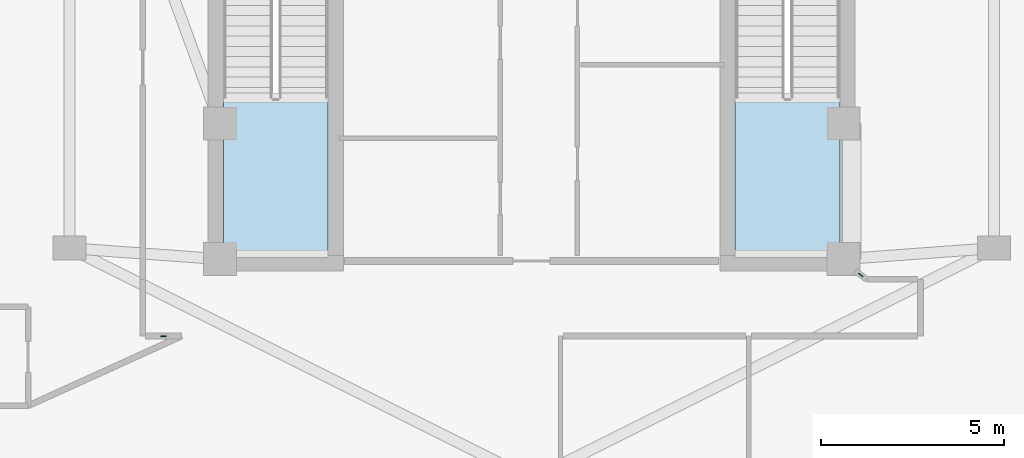
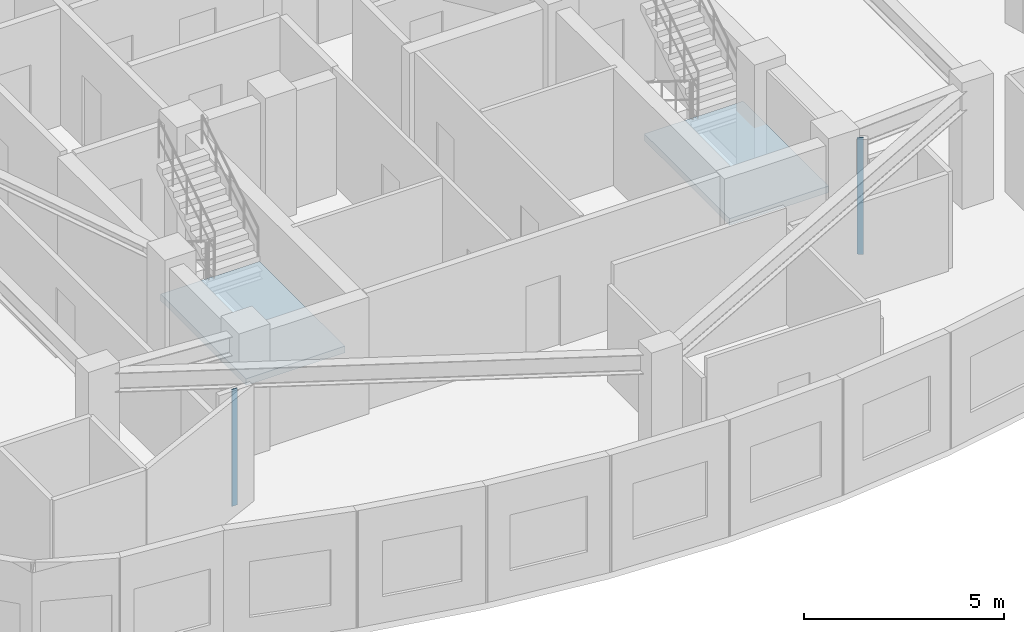
# One storey, part 2 of 9: 2 plates, 2 slabs, 2 elements without a shape of their own.
"""IFC4 building model written with IfcOpenShell, lengths in metres."""

from ifc_helpers import new_model, si_unit, direction, frame, origin, origin_2d, place, context, subcontext, project, spatial, polyline, rectangle, outline, extrude, material, layer, layer_set, type_object, element, aggregate, save


model = new_model("IFC4")

# Units and contexts
model_context = context("Model", 3, precision=1e-05, world=origin(), true_north=direction((0.0, 1.0)))
body_context = subcontext(model_context, "Body", "Model", "MODEL_VIEW")
ifc_project = project(units=[si_unit("LENGTHUNIT", "METRE"), si_unit("AREAUNIT", "SQUARE_METRE"), si_unit("VOLUMEUNIT", "CUBIC_METRE"), si_unit("PLANEANGLEUNIT", "RADIAN"), si_unit("MASSUNIT", "GRAM", prefix="KILO")], contexts=[model_context])

# Site, building, storey
site_placement = place(None, origin())
site = spatial("IfcSite", under=ifc_project, at=site_placement, CompositionType="ELEMENT")
building_placement = place(site_placement, origin())
building = spatial("IfcBuilding", under=site, at=building_placement, Name="Miruveldt Soraemaru", CompositionType="ELEMENT")
storey_placement = place(building_placement, frame((0.0, 0.0, 263.550048828125)))
storey = spatial("IfcBuildingStorey", under=building, at=storey_placement, Name="L72", CompositionType="ELEMENT", Elevation=263.550048828125)

# Plates
ifc_material_1 = material(Name="Anodised aluminium EN AW-6063 T6", Category="aluminium")
ifc_layer_1 = layer(ifc_material_1, 0.02001953125, Name="Anodised aluminium EN AW-6063 T6", Category="aluminium")
ifc_layer_set_1 = layer_set([ifc_layer_1], Name="Anodised aluminium EN AW-6063 T6")
plate_type = type_object("IfcPlateType", Name="PLT-PART-TRIM", PredefinedType="SHEET", material=ifc_layer_set_1)
for number, where, z_axis, x_axis, name in (
    (1, (33.966552734375, 33.39990234375, 0.0), (0.0, 0.0, 1.0), (1.0, 0.0, 0.0), "L72 Partition Step Corner Trim Plate 006"),
    (2, (52.97509765625, 35.06494140625, 0.0), (0.0, 0.0, 1.0), (-0.803129547743, 0.595804439009, 0.0), "L72 Partition Step Corner Trim Plate 003"),
):
    element("IfcPlate", number, at=place(storey_placement, frame(where, z_axis=z_axis, x_axis=x_axis)), inside=storey, type_object=plate_type, Name=name, PredefinedType="SHEET", context=body_context, shape_type="SweptSolid", body=[
        extrude(rectangle(XDim=0.159912109375, YDim=0.02001953125, at=origin_2d()), origin(), (0.0, 0.0, 1.0), 3.56494140625),
    ])

# Stair, slab
ifc_material_2 = material(Name="Concrete C40/50 (40 MPa)", Category="concrete")
stair_type = type_object("IfcStairType", Name="STAIR-DL-385", PredefinedType="HALF_TURN_STAIR", material=ifc_material_2)
stair_1_placement = place(storey_placement, origin())
stair_1 = element("IfcStair", 3, at=stair_1_placement, inside=storey, type_object=stair_type, Name="L72 Protected Exit Stair ST-1", PredefinedType="HALF_TURN_STAIR")
ifc_layer_2 = layer(ifc_material_2, 0.199951171875, Name="Concrete C40/50 (40 MPa)", Category="concrete")
ifc_layer_set_2 = layer_set([ifc_layer_2], Name="Concrete C40/50 (40 MPa)")
slab_type = type_object("IfcSlabType", Name="SLAB-LAND-200", PredefinedType="LANDING", material=ifc_layer_set_2)
slab_1_placement = place(storey_placement, frame((0.0, 0.0, 1.724853515625)))
slab_1 = element("IfcSlab", 4, at=slab_1_placement, type_object=slab_type, Name="ST-1 landing 1", PredefinedType="LANDING", context=body_context, shape_type="SweptSolid", body=[
    extrude(outline(polyline([(35.60009765625, 39.91796875), (35.60009765625, 35.64990234375), (38.449951171875, 35.64990234375), (38.449951171875, 39.91796875), (35.60009765625, 39.91796875)])), origin(), (0.0, 0.0, 1.0), 0.2001953125),
])
aggregate(stair_1, [slab_1])

stair_2_placement = place(storey_placement, origin())
stair_2 = element("IfcStair", 5, at=stair_2_placement, inside=storey, type_object=stair_type, Name="L72 Protected Exit Stair ST-2", PredefinedType="HALF_TURN_STAIR")
slab_2_placement = place(storey_placement, frame((0.0, 0.0, 1.724853515625)))
slab_2 = element("IfcSlab", 6, at=slab_2_placement, type_object=slab_type, Name="ST-2 landing 1", PredefinedType="LANDING", context=body_context, shape_type="SweptSolid", body=[
    extrude(outline(polyline([(49.550048828125, 39.91796875), (49.550048828125, 35.64990234375), (52.39990234375, 35.64990234375), (52.39990234375, 39.91796875), (49.550048828125, 39.91796875)])), origin(), (0.0, 0.0, 1.0), 0.2001953125),
])
aggregate(stair_2, [slab_2])

save(model, "model.ifc")
